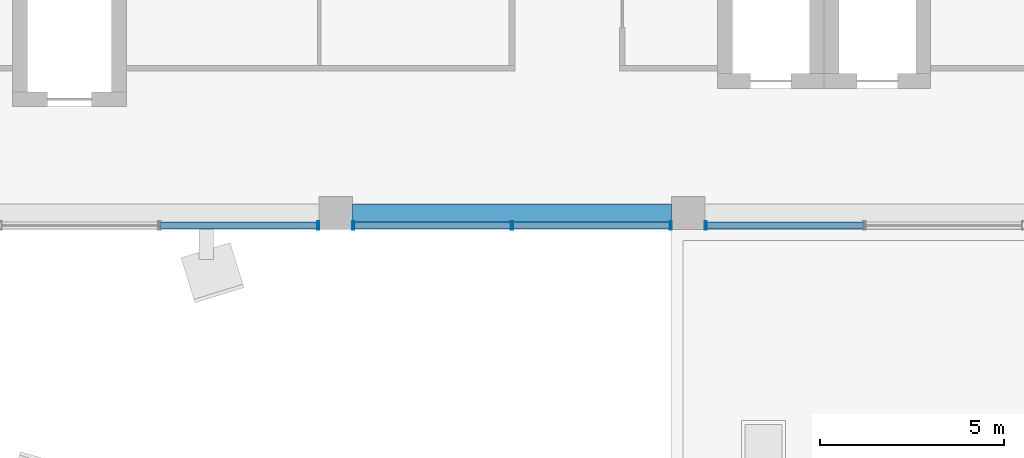
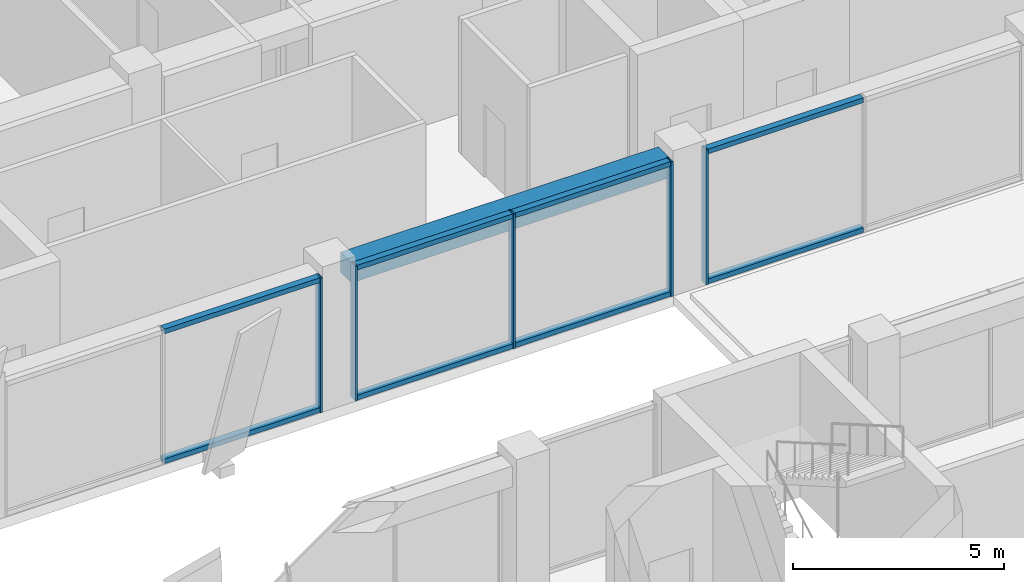
# One storey, part 10 of 38: 13 members, 1 beam, 3 elements without a shape of their own.
"""IFC4 building model written with IfcOpenShell, lengths in metres."""

from ifc_helpers import new_model, si_unit, direction, frame, origin, origin_2d, place, context, subcontext, project, spatial, rectangle, hollow_rectangle, extrude, material, layer, layer_set, material_profile, profile_set, type_object, element, aggregate, save


model = new_model("IFC4")

# Units and contexts
model_context = context("Model", 3, precision=1e-05, world=origin(), true_north=direction((0.0, 1.0)))
body_context = subcontext(model_context, "Body", "Model", "MODEL_VIEW")
ifc_project = project(units=[si_unit("LENGTHUNIT", "METRE"), si_unit("AREAUNIT", "SQUARE_METRE"), si_unit("VOLUMEUNIT", "CUBIC_METRE"), si_unit("PLANEANGLEUNIT", "RADIAN"), si_unit("MASSUNIT", "GRAM", prefix="KILO")], contexts=[model_context])

# Site, building, storey
site_placement = place(None, origin())
site = spatial("IfcSite", under=ifc_project, at=site_placement, CompositionType="ELEMENT")
building_placement = place(site_placement, origin())
building = spatial("IfcBuilding", under=site, at=building_placement, Name="Nzadi Deep Aquarium and Research Tower", CompositionType="ELEMENT")
storey_placement = place(building_placement, frame((0.0, 0.0, 52.89990234375)))
storey = spatial("IfcBuildingStorey", under=building, at=storey_placement, Name="L10", CompositionType="ELEMENT", Elevation=52.89990234375)

# Curtain wall, member
ifc_material_1 = material(Name="Aluminium unitised frame deep", Category="aluminium")
ifc_layer = layer(ifc_material_1, 0.22509765625)
ifc_layer_set = layer_set([ifc_layer], Name="Aluminium unitised frame deep")
curtain_wall_type = type_object("IfcCurtainWallType", Name="Curtain wall Unitised Deep 225", PredefinedType="NOTDEFINED", material=ifc_layer_set)
curtain_wall_1_placement = place(storey_placement, origin())
curtain_wall_1 = element("IfcCurtainWall", 1, at=curtain_wall_1_placement, inside=storey, type_object=curtain_wall_type, Name="Unitised curtain wall blade B south L10", PredefinedType="NOTDEFINED")
ifc_material_2 = material(Name="Aluminium unitised frame deep", Category="aluminium")
ifc_material_profile_1 = material_profile(ifc_material_2, hollow_rectangle(XDim=0.22509765625, YDim=0.06005859375, WallThickness=0.0048828125, at=origin_2d()))
ifc_profile_set_1 = profile_set([ifc_material_profile_1], Name="Aluminium unitised frame deep")
member_type_1 = type_object("IfcMemberType", Name="Mullion 60x225 Unitised Deep", PredefinedType="MULLION", material=ifc_profile_set_1)
member_1_placement = place(storey_placement, frame((18.719970703125, 27.262451171875, 0.0), z_axis=(0.0, 0.0, 1.0), x_axis=(0.0, 1.0, 0.0)))
member_1 = element("IfcMember", 2, at=member_1_placement, type_object=member_type_1, Name="CW129 mullion 3", PredefinedType="MULLION", context=body_context, shape_type="SweptSolid", body=[
    extrude(hollow_rectangle(XDim=0.22509765625, YDim=0.06005859375, WallThickness=0.0048828125, at=origin_2d()), origin(), (0.0, 0.0, 1.0), 3.900146484375),
])

# Curtain wall, members
curtain_wall_2_placement = place(storey_placement, origin())
curtain_wall_2 = element("IfcCurtainWall", 3, at=curtain_wall_2_placement, inside=storey, type_object=curtain_wall_type, Name="Unitised curtain wall blade B south L10", PredefinedType="NOTDEFINED")
member_2_placement = place(storey_placement, frame((19.679931640625, 27.262451171875, 0.0), z_axis=(0.0, 0.0, 1.0), x_axis=(0.0, 1.0, 0.0)))
member_2 = element("IfcMember", 4, at=member_2_placement, type_object=member_type_1, Name="CW130 mullion 1", PredefinedType="MULLION", context=body_context, shape_type="SweptSolid", body=[
    extrude(hollow_rectangle(XDim=0.22509765625, YDim=0.06005859375, WallThickness=0.0048828125, at=origin_2d()), origin(), (0.0, 0.0, 1.0), 3.900146484375),
])
member_3_placement = place(storey_placement, frame((24.0, 27.262451171875, 0.0), z_axis=(0.0, 0.0, 1.0), x_axis=(0.0, 1.0, 0.0)))
member_3 = element("IfcMember", 5, at=member_3_placement, type_object=member_type_1, Name="CW130 mullion 2", PredefinedType="MULLION", context=body_context, shape_type="SweptSolid", body=[
    extrude(hollow_rectangle(XDim=0.22509765625, YDim=0.06005859375, WallThickness=0.0048828125, at=origin_2d()), origin(), (0.0, 0.0, 1.0), 3.900146484375),
])
member_4_placement = place(storey_placement, frame((28.320068359375, 27.262451171875, 0.0), z_axis=(0.0, 0.0, 1.0), x_axis=(0.0, 1.0, 0.0)))
member_4 = element("IfcMember", 6, at=member_4_placement, type_object=member_type_1, Name="CW130 mullion 3", PredefinedType="MULLION", context=body_context, shape_type="SweptSolid", body=[
    extrude(hollow_rectangle(XDim=0.22509765625, YDim=0.06005859375, WallThickness=0.0048828125, at=origin_2d()), origin(), (0.0, 0.0, 1.0), 3.900146484375),
])

# Curtain wall, member
curtain_wall_3_placement = place(storey_placement, origin())
curtain_wall_3 = element("IfcCurtainWall", 7, at=curtain_wall_3_placement, inside=storey, type_object=curtain_wall_type, Name="Unitised curtain wall blade B south L10", PredefinedType="NOTDEFINED")
member_5_placement = place(storey_placement, frame((29.280029296875, 27.262451171875, 0.0), z_axis=(0.0, 0.0, 1.0), x_axis=(0.0, 1.0, 0.0)))
member_5 = element("IfcMember", 8, at=member_5_placement, type_object=member_type_1, Name="CW131 mullion 1", PredefinedType="MULLION", context=body_context, shape_type="SweptSolid", body=[
    extrude(hollow_rectangle(XDim=0.22509765625, YDim=0.06005859375, WallThickness=0.0048828125, at=origin_2d()), origin(), (0.0, 0.0, 1.0), 3.900146484375),
])

# Beam
ifc_material_3 = material(Name="Concrete C35/45", Category="concrete")
ifc_material_profile_2 = material_profile(ifc_material_3, rectangle(XDim=0.5, YDim=0.60009765625, at=origin_2d()))
ifc_profile_set_2 = profile_set([ifc_material_profile_2], Name="Concrete C35/45")
beam_type = type_object("IfcBeamType", Name="RC 500x600", PredefinedType="BEAM", material=ifc_profile_set_2)
beam_placement = place(storey_placement, frame((19.64990234375, 27.60009765625, 3.60009765625), z_axis=(1.0, 0.0, 0.0), x_axis=(0.0, 1.0, 0.0)))
element("IfcBeam", 9, at=beam_placement, inside=storey, type_object=beam_type, Name="B-Z1-L10-L4-3", PredefinedType="BEAM", context=body_context, shape_type="SweptSolid", body=[
    extrude(rectangle(XDim=0.5, YDim=0.60009765625, at=origin_2d()), origin(), (0.0, 0.0, 1.0), 8.7001953125),
])

# Member
ifc_material_4 = material(Name="Aluminium unitised frame deep", Category="aluminium")
ifc_material_profile_3 = material_profile(ifc_material_4, hollow_rectangle(XDim=0.179931640625, YDim=0.139892578125, WallThickness=0.0048828125, at=origin_2d()))
ifc_profile_set_3 = profile_set([ifc_material_profile_3], Name="Aluminium unitised frame deep")
member_type_2 = type_object("IfcMemberType", Name="Transom 140x180 Unitised Deep", PredefinedType="MULLION", material=ifc_profile_set_3)
member_6_placement = place(storey_placement, frame((14.429931640625, 27.262451171875, 0.070068359375), z_axis=(1.0, 0.0, 0.0), x_axis=(0.0, 1.0, 0.0)))
member_6 = element("IfcMember", 10, at=member_6_placement, type_object=member_type_2, Name="CW129 transom 2.1", PredefinedType="MULLION", context=body_context, shape_type="SweptSolid", body=[
    extrude(hollow_rectangle(XDim=0.179931640625, YDim=0.139892578125, WallThickness=0.0048828125, at=origin_2d()), origin(), (0.0, 0.0, 1.0), 4.260009765625),
])

member_7_placement = place(storey_placement, frame((14.429931640625, 27.262451171875, 3.830078125), z_axis=(1.0, 0.0, 0.0), x_axis=(0.0, 1.0, 0.0)))
member_7 = element("IfcMember", 11, at=member_7_placement, type_object=member_type_2, Name="CW129 transom 2.2", PredefinedType="MULLION", context=body_context, shape_type="SweptSolid", body=[
    extrude(hollow_rectangle(XDim=0.179931640625, YDim=0.139892578125, WallThickness=0.0048828125, at=origin_2d()), origin(), (0.0, 0.0, 1.0), 4.260009765625),
])

aggregate(curtain_wall_1, [member_1, member_6, member_7])

member_8_placement = place(storey_placement, frame((19.7099609375, 27.262451171875, 0.070068359375), z_axis=(1.0, 0.0, 0.0), x_axis=(0.0, 1.0, 0.0)))
member_8 = element("IfcMember", 12, at=member_8_placement, type_object=member_type_2, Name="CW130 transom 1.1", PredefinedType="MULLION", context=body_context, shape_type="SweptSolid", body=[
    extrude(hollow_rectangle(XDim=0.179931640625, YDim=0.139892578125, WallThickness=0.0048828125, at=origin_2d()), origin(), (0.0, 0.0, 1.0), 4.260009765625),
])

member_9_placement = place(storey_placement, frame((19.7099609375, 27.262451171875, 3.830078125), z_axis=(1.0, 0.0, 0.0), x_axis=(0.0, 1.0, 0.0)))
member_9 = element("IfcMember", 13, at=member_9_placement, type_object=member_type_2, Name="CW130 transom 1.2", PredefinedType="MULLION", context=body_context, shape_type="SweptSolid", body=[
    extrude(hollow_rectangle(XDim=0.179931640625, YDim=0.139892578125, WallThickness=0.0048828125, at=origin_2d()), origin(), (0.0, 0.0, 1.0), 4.260009765625),
])

member_10_placement = place(storey_placement, frame((24.030029296875, 27.262451171875, 0.070068359375), z_axis=(1.0, 0.0, 0.0), x_axis=(0.0, 1.0, 0.0)))
member_10 = element("IfcMember", 14, at=member_10_placement, type_object=member_type_2, Name="CW130 transom 2.1", PredefinedType="MULLION", context=body_context, shape_type="SweptSolid", body=[
    extrude(hollow_rectangle(XDim=0.179931640625, YDim=0.139892578125, WallThickness=0.0048828125, at=origin_2d()), origin(), (0.0, 0.0, 1.0), 4.260009765625),
])

member_11_placement = place(storey_placement, frame((24.030029296875, 27.262451171875, 3.830078125), z_axis=(1.0, 0.0, 0.0), x_axis=(0.0, 1.0, 0.0)))
member_11 = element("IfcMember", 15, at=member_11_placement, type_object=member_type_2, Name="CW130 transom 2.2", PredefinedType="MULLION", context=body_context, shape_type="SweptSolid", body=[
    extrude(hollow_rectangle(XDim=0.179931640625, YDim=0.139892578125, WallThickness=0.0048828125, at=origin_2d()), origin(), (0.0, 0.0, 1.0), 4.260009765625),
])

aggregate(curtain_wall_2, [member_2, member_3, member_4, member_8, member_9, member_10, member_11])

member_12_placement = place(storey_placement, frame((29.31005859375, 27.262451171875, 0.070068359375), z_axis=(1.0, 0.0, 0.0), x_axis=(0.0, 1.0, 0.0)))
member_12 = element("IfcMember", 16, at=member_12_placement, type_object=member_type_2, Name="CW131 transom 1.1", PredefinedType="MULLION", context=body_context, shape_type="SweptSolid", body=[
    extrude(hollow_rectangle(XDim=0.179931640625, YDim=0.139892578125, WallThickness=0.0048828125, at=origin_2d()), origin(), (0.0, 0.0, 1.0), 4.260009765625),
])

member_13_placement = place(storey_placement, frame((29.31005859375, 27.262451171875, 3.830078125), z_axis=(1.0, 0.0, 0.0), x_axis=(0.0, 1.0, 0.0)))
member_13 = element("IfcMember", 17, at=member_13_placement, type_object=member_type_2, Name="CW131 transom 1.2", PredefinedType="MULLION", context=body_context, shape_type="SweptSolid", body=[
    extrude(hollow_rectangle(XDim=0.179931640625, YDim=0.139892578125, WallThickness=0.0048828125, at=origin_2d()), origin(), (0.0, 0.0, 1.0), 4.260009765625),
])

aggregate(curtain_wall_3, [member_5, member_12, member_13])

save(model, "model.ifc")
